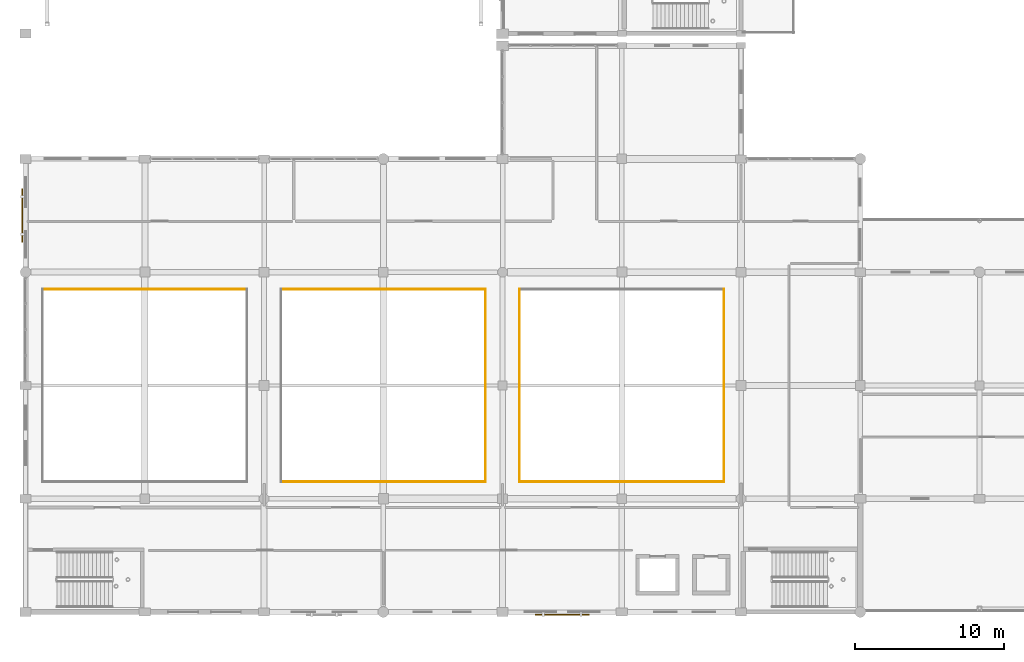
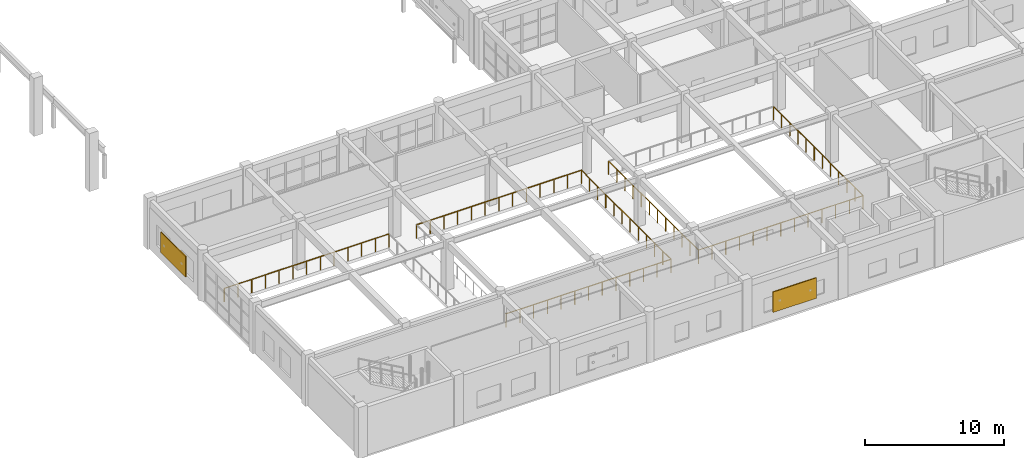
# One storey, part 145 of 160: 7 railings, 2 shading devices.
"""IFC4 building model written with IfcOpenShell, lengths in metres."""

from ifc_helpers import new_model, si_unit, direction, frame, origin, origin_2d, place, context, subcontext, project, spatial, rectangle, circle, extrude, material, type_object, element, save


model = new_model("IFC4")

# Units and contexts
model_context = context("Model", 3, precision=1e-05, world=origin(), true_north=direction((0.0, 1.0)))
body_context = subcontext(model_context, "Body", "Model", "MODEL_VIEW")
ifc_project = project(units=[si_unit("LENGTHUNIT", "METRE"), si_unit("AREAUNIT", "SQUARE_METRE"), si_unit("VOLUMEUNIT", "CUBIC_METRE"), si_unit("PLANEANGLEUNIT", "RADIAN"), si_unit("MASSUNIT", "GRAM", prefix="KILO")], contexts=[model_context])

# Site, building, storey
site_placement = place(None, origin())
site = spatial("IfcSite", under=ifc_project, at=site_placement, CompositionType="ELEMENT")
building_placement = place(site_placement, origin())
building = spatial("IfcBuilding", under=site, at=building_placement, Name="Kharva Crest Polytechnic", CompositionType="ELEMENT")
storey_placement = place(building_placement, frame((0.0, 0.0, 4.5)))
storey = spatial("IfcBuildingStorey", under=building, at=storey_placement, Name="L01", CompositionType="ELEMENT", Elevation=4.5)

# Railings
ifc_material_1 = material(Name="Anodised aluminium", Category="aluminium")
railing_type = type_object("IfcRailingType", Name="RL-VOID-GUARD-1200", PredefinedType="GUARDRAIL", material=ifc_material_1)
railing_1_placement = place(storey_placement, frame((14.860107421875, 21.659912109375, 0.0)))
element("IfcRailing", 1, at=railing_1_placement, inside=storey, type_object=railing_type, Name="L01 Atrium Void Guard 7", PredefinedType="GUARDRAIL", context=body_context, shape_type="SweptSolid", body=[
    extrude(circle(Radius=0.02392578125, at=origin_2d()), frame((0.0, 0.0, 1.17578125), z_axis=(-1.0, 0.0, 0.0), x_axis=(0.0, -1.0, 0.0)), (0.0, 0.0, 1.0), 13.72021484375),
    extrude(circle(Radius=0.02099609375, at=origin_2d()), origin(), (0.0, 0.0, 1.0), 1.15185546875),
    extrude(circle(Radius=0.02099609375, at=origin_2d()), frame((-1.143310546875, 0.0, 0.0)), (0.0, 0.0, 1.0), 1.15185546875),
    extrude(circle(Radius=0.02099609375, at=origin_2d()), frame((-2.28662109375, 0.0, 0.0)), (0.0, 0.0, 1.0), 1.15185546875),
    extrude(circle(Radius=0.02099609375, at=origin_2d()), frame((-3.43017578125, 0.0, 0.0)), (0.0, 0.0, 1.0), 1.15185546875),
    extrude(circle(Radius=0.02099609375, at=origin_2d()), frame((-4.573486328125, 0.0, 0.0)), (0.0, 0.0, 1.0), 1.15185546875),
    extrude(circle(Radius=0.02099609375, at=origin_2d()), frame((-5.716796875, 0.0, 0.0)), (0.0, 0.0, 1.0), 1.15185546875),
    extrude(circle(Radius=0.02099609375, at=origin_2d()), frame((-6.860107421875, 0.0, 0.0)), (0.0, 0.0, 1.0), 1.15185546875),
    extrude(circle(Radius=0.02099609375, at=origin_2d()), frame((-8.00341796875, 0.0, 0.0)), (0.0, 0.0, 1.0), 1.15185546875),
    extrude(circle(Radius=0.02099609375, at=origin_2d()), frame((-9.146728515625, 0.0, 0.0)), (0.0, 0.0, 1.0), 1.15185546875),
    extrude(circle(Radius=0.02099609375, at=origin_2d()), frame((-10.2900390625, 0.0, 0.0)), (0.0, 0.0, 1.0), 1.15185546875),
    extrude(circle(Radius=0.02099609375, at=origin_2d()), frame((-11.43359375, 0.0, 0.0)), (0.0, 0.0, 1.0), 1.15185546875),
    extrude(circle(Radius=0.02099609375, at=origin_2d()), frame((-12.576904296875, 0.0, 0.0)), (0.0, 0.0, 1.0), 1.15185546875),
    extrude(circle(Radius=0.02099609375, at=origin_2d()), frame((-13.72021484375, 0.0, 0.0)), (0.0, 0.0, 1.0), 1.15185546875),
])
railing_2_placement = place(storey_placement, frame((17.139892578125, 8.739990234375, 0.0)))
element("IfcRailing", 2, at=railing_2_placement, inside=storey, type_object=railing_type, Name="L01 Atrium Void Guard 9", PredefinedType="GUARDRAIL", context=body_context, shape_type="SweptSolid", body=[
    extrude(circle(Radius=0.02392578125, at=origin_2d()), frame((0.0, 0.0, 1.17578125), z_axis=(1.0, 0.0, 0.0), x_axis=(0.0, 1.0, 0.0)), (0.0, 0.0, 1.0), 13.72021484375),
    extrude(circle(Radius=0.02099609375, at=origin_2d()), origin(), (0.0, 0.0, 1.0), 1.15185546875),
    extrude(circle(Radius=0.02099609375, at=origin_2d()), frame((1.143310546875, 0.0, 0.0)), (0.0, 0.0, 1.0), 1.15185546875),
    extrude(circle(Radius=0.02099609375, at=origin_2d()), frame((2.28662109375, 0.0, 0.0)), (0.0, 0.0, 1.0), 1.15185546875),
    extrude(circle(Radius=0.02099609375, at=origin_2d()), frame((3.43017578125, 0.0, 0.0)), (0.0, 0.0, 1.0), 1.15185546875),
    extrude(circle(Radius=0.02099609375, at=origin_2d()), frame((4.573486328125, 0.0, 0.0)), (0.0, 0.0, 1.0), 1.15185546875),
    extrude(circle(Radius=0.02099609375, at=origin_2d()), frame((5.716796875, 0.0, 0.0)), (0.0, 0.0, 1.0), 1.15185546875),
    extrude(circle(Radius=0.02099609375, at=origin_2d()), frame((6.860107421875, 0.0, 0.0)), (0.0, 0.0, 1.0), 1.15185546875),
    extrude(circle(Radius=0.02099609375, at=origin_2d()), frame((8.00341796875, 0.0, 0.0)), (0.0, 0.0, 1.0), 1.15185546875),
    extrude(circle(Radius=0.02099609375, at=origin_2d()), frame((9.146728515625, 0.0, 0.0)), (0.0, 0.0, 1.0), 1.15185546875),
    extrude(circle(Radius=0.02099609375, at=origin_2d()), frame((10.2900390625, 0.0, 0.0)), (0.0, 0.0, 1.0), 1.15185546875),
    extrude(circle(Radius=0.02099609375, at=origin_2d()), frame((11.43359375, 0.0, 0.0)), (0.0, 0.0, 1.0), 1.15185546875),
    extrude(circle(Radius=0.02099609375, at=origin_2d()), frame((12.576904296875, 0.0, 0.0)), (0.0, 0.0, 1.0), 1.15185546875),
    extrude(circle(Radius=0.02099609375, at=origin_2d()), frame((13.72021484375, 0.0, 0.0)), (0.0, 0.0, 1.0), 1.15185546875),
])
railing_3_placement = place(storey_placement, frame((30.860107421875, 8.739990234375, 0.0)))
element("IfcRailing", 3, at=railing_3_placement, inside=storey, type_object=railing_type, Name="L01 Atrium Void Guard 10", PredefinedType="GUARDRAIL", context=body_context, shape_type="SweptSolid", body=[
    extrude(circle(Radius=0.02392578125, at=origin_2d()), frame((0.0, 0.0, 1.17578125), z_axis=(0.0, 1.0, 0.0), x_axis=(-1.0, 0.0, 0.0)), (0.0, 0.0, 1.0), 12.919921875),
    extrude(circle(Radius=0.02099609375, at=origin_2d()), origin(), (0.0, 0.0, 1.0), 1.15185546875),
    extrude(circle(Radius=0.02099609375, at=origin_2d()), frame((0.0, 1.174560546875, 0.0)), (0.0, 0.0, 1.0), 1.15185546875),
    extrude(circle(Radius=0.02099609375, at=origin_2d()), frame((0.0, 2.34912109375, 0.0)), (0.0, 0.0, 1.0), 1.15185546875),
    extrude(circle(Radius=0.02099609375, at=origin_2d()), frame((0.0, 3.523681640625, 0.0)), (0.0, 0.0, 1.0), 1.15185546875),
    extrude(circle(Radius=0.02099609375, at=origin_2d()), frame((0.0, 4.6982421875, 0.0)), (0.0, 0.0, 1.0), 1.15185546875),
    extrude(circle(Radius=0.02099609375, at=origin_2d()), frame((0.0, 5.872802734375, 0.0)), (0.0, 0.0, 1.0), 1.15185546875),
    extrude(circle(Radius=0.02099609375, at=origin_2d()), frame((0.0, 7.047119140625, 0.0)), (0.0, 0.0, 1.0), 1.15185546875),
    extrude(circle(Radius=0.02099609375, at=origin_2d()), frame((0.0, 8.2216796875, 0.0)), (0.0, 0.0, 1.0), 1.15185546875),
    extrude(circle(Radius=0.02099609375, at=origin_2d()), frame((0.0, 9.396240234375, 0.0)), (0.0, 0.0, 1.0), 1.15185546875),
    extrude(circle(Radius=0.02099609375, at=origin_2d()), frame((0.0, 10.57080078125, 0.0)), (0.0, 0.0, 1.0), 1.15185546875),
    extrude(circle(Radius=0.02099609375, at=origin_2d()), frame((0.0, 11.745361328125, 0.0)), (0.0, 0.0, 1.0), 1.15185546875),
    extrude(circle(Radius=0.02099609375, at=origin_2d()), frame((0.0, 12.919921875, 0.0)), (0.0, 0.0, 1.0), 1.15185546875),
])
railing_4_placement = place(storey_placement, frame((30.860107421875, 21.659912109375, 0.0)))
element("IfcRailing", 4, at=railing_4_placement, inside=storey, type_object=railing_type, Name="L01 Atrium Void Guard 11", PredefinedType="GUARDRAIL", context=body_context, shape_type="SweptSolid", body=[
    extrude(circle(Radius=0.02392578125, at=origin_2d()), frame((0.0, 0.0, 1.17578125), z_axis=(-1.0, 0.0, 0.0), x_axis=(0.0, -1.0, 0.0)), (0.0, 0.0, 1.0), 13.72021484375),
    extrude(circle(Radius=0.02099609375, at=origin_2d()), origin(), (0.0, 0.0, 1.0), 1.15185546875),
    extrude(circle(Radius=0.02099609375, at=origin_2d()), frame((-1.143310546875, 0.0, 0.0)), (0.0, 0.0, 1.0), 1.15185546875),
    extrude(circle(Radius=0.02099609375, at=origin_2d()), frame((-2.28662109375, 0.0, 0.0)), (0.0, 0.0, 1.0), 1.15185546875),
    extrude(circle(Radius=0.02099609375, at=origin_2d()), frame((-3.43017578125, 0.0, 0.0)), (0.0, 0.0, 1.0), 1.15185546875),
    extrude(circle(Radius=0.02099609375, at=origin_2d()), frame((-4.573486328125, 0.0, 0.0)), (0.0, 0.0, 1.0), 1.15185546875),
    extrude(circle(Radius=0.02099609375, at=origin_2d()), frame((-5.716796875, 0.0, 0.0)), (0.0, 0.0, 1.0), 1.15185546875),
    extrude(circle(Radius=0.02099609375, at=origin_2d()), frame((-6.860107421875, 0.0, 0.0)), (0.0, 0.0, 1.0), 1.15185546875),
    extrude(circle(Radius=0.02099609375, at=origin_2d()), frame((-8.00341796875, 0.0, 0.0)), (0.0, 0.0, 1.0), 1.15185546875),
    extrude(circle(Radius=0.02099609375, at=origin_2d()), frame((-9.146728515625, 0.0, 0.0)), (0.0, 0.0, 1.0), 1.15185546875),
    extrude(circle(Radius=0.02099609375, at=origin_2d()), frame((-10.2900390625, 0.0, 0.0)), (0.0, 0.0, 1.0), 1.15185546875),
    extrude(circle(Radius=0.02099609375, at=origin_2d()), frame((-11.43359375, 0.0, 0.0)), (0.0, 0.0, 1.0), 1.15185546875),
    extrude(circle(Radius=0.02099609375, at=origin_2d()), frame((-12.576904296875, 0.0, 0.0)), (0.0, 0.0, 1.0), 1.15185546875),
    extrude(circle(Radius=0.02099609375, at=origin_2d()), frame((-13.72021484375, 0.0, 0.0)), (0.0, 0.0, 1.0), 1.15185546875),
])
railing_5_placement = place(storey_placement, frame((33.139892578125, 8.739990234375, 0.0)))
element("IfcRailing", 5, at=railing_5_placement, inside=storey, type_object=railing_type, Name="L01 Atrium Void Guard 13", PredefinedType="GUARDRAIL", context=body_context, shape_type="SweptSolid", body=[
    extrude(circle(Radius=0.02392578125, at=origin_2d()), frame((0.0, 0.0, 1.17578125), z_axis=(1.0, 0.0, 0.0), x_axis=(0.0, 1.0, 0.0)), (0.0, 0.0, 1.0), 13.72021484375),
    extrude(circle(Radius=0.02099609375, at=origin_2d()), origin(), (0.0, 0.0, 1.0), 1.15185546875),
    extrude(circle(Radius=0.02099609375, at=origin_2d()), frame((1.143310546875, 0.0, 0.0)), (0.0, 0.0, 1.0), 1.15185546875),
    extrude(circle(Radius=0.02099609375, at=origin_2d()), frame((2.28662109375, 0.0, 0.0)), (0.0, 0.0, 1.0), 1.15185546875),
    extrude(circle(Radius=0.02099609375, at=origin_2d()), frame((3.43017578125, 0.0, 0.0)), (0.0, 0.0, 1.0), 1.15185546875),
    extrude(circle(Radius=0.02099609375, at=origin_2d()), frame((4.573486328125, 0.0, 0.0)), (0.0, 0.0, 1.0), 1.15185546875),
    extrude(circle(Radius=0.02099609375, at=origin_2d()), frame((5.716796875, 0.0, 0.0)), (0.0, 0.0, 1.0), 1.15185546875),
    extrude(circle(Radius=0.02099609375, at=origin_2d()), frame((6.860107421875, 0.0, 0.0)), (0.0, 0.0, 1.0), 1.15185546875),
    extrude(circle(Radius=0.02099609375, at=origin_2d()), frame((8.00341796875, 0.0, 0.0)), (0.0, 0.0, 1.0), 1.15185546875),
    extrude(circle(Radius=0.02099609375, at=origin_2d()), frame((9.146728515625, 0.0, 0.0)), (0.0, 0.0, 1.0), 1.15185546875),
    extrude(circle(Radius=0.02099609375, at=origin_2d()), frame((10.2900390625, 0.0, 0.0)), (0.0, 0.0, 1.0), 1.15185546875),
    extrude(circle(Radius=0.02099609375, at=origin_2d()), frame((11.43359375, 0.0, 0.0)), (0.0, 0.0, 1.0), 1.15185546875),
    extrude(circle(Radius=0.02099609375, at=origin_2d()), frame((12.576904296875, 0.0, 0.0)), (0.0, 0.0, 1.0), 1.15185546875),
    extrude(circle(Radius=0.02099609375, at=origin_2d()), frame((13.72021484375, 0.0, 0.0)), (0.0, 0.0, 1.0), 1.15185546875),
])
railing_6_placement = place(storey_placement, frame((46.860107421875, 8.739990234375, 0.0)))
element("IfcRailing", 6, at=railing_6_placement, inside=storey, type_object=railing_type, Name="L01 Atrium Void Guard 14", PredefinedType="GUARDRAIL", context=body_context, shape_type="SweptSolid", body=[
    extrude(circle(Radius=0.02392578125, at=origin_2d()), frame((0.0, 0.0, 1.17578125), z_axis=(0.0, 1.0, 0.0), x_axis=(-1.0, 0.0, 0.0)), (0.0, 0.0, 1.0), 12.919921875),
    extrude(circle(Radius=0.02099609375, at=origin_2d()), origin(), (0.0, 0.0, 1.0), 1.15185546875),
    extrude(circle(Radius=0.02099609375, at=origin_2d()), frame((0.0, 1.174560546875, 0.0)), (0.0, 0.0, 1.0), 1.15185546875),
    extrude(circle(Radius=0.02099609375, at=origin_2d()), frame((0.0, 2.34912109375, 0.0)), (0.0, 0.0, 1.0), 1.15185546875),
    extrude(circle(Radius=0.02099609375, at=origin_2d()), frame((0.0, 3.523681640625, 0.0)), (0.0, 0.0, 1.0), 1.15185546875),
    extrude(circle(Radius=0.02099609375, at=origin_2d()), frame((0.0, 4.6982421875, 0.0)), (0.0, 0.0, 1.0), 1.15185546875),
    extrude(circle(Radius=0.02099609375, at=origin_2d()), frame((0.0, 5.872802734375, 0.0)), (0.0, 0.0, 1.0), 1.15185546875),
    extrude(circle(Radius=0.02099609375, at=origin_2d()), frame((0.0, 7.047119140625, 0.0)), (0.0, 0.0, 1.0), 1.15185546875),
    extrude(circle(Radius=0.02099609375, at=origin_2d()), frame((0.0, 8.2216796875, 0.0)), (0.0, 0.0, 1.0), 1.15185546875),
    extrude(circle(Radius=0.02099609375, at=origin_2d()), frame((0.0, 9.396240234375, 0.0)), (0.0, 0.0, 1.0), 1.15185546875),
    extrude(circle(Radius=0.02099609375, at=origin_2d()), frame((0.0, 10.57080078125, 0.0)), (0.0, 0.0, 1.0), 1.15185546875),
    extrude(circle(Radius=0.02099609375, at=origin_2d()), frame((0.0, 11.745361328125, 0.0)), (0.0, 0.0, 1.0), 1.15185546875),
    extrude(circle(Radius=0.02099609375, at=origin_2d()), frame((0.0, 12.919921875, 0.0)), (0.0, 0.0, 1.0), 1.15185546875),
])
railing_7_placement = place(storey_placement, frame((33.139892578125, 21.659912109375, 0.0)))
element("IfcRailing", 7, at=railing_7_placement, inside=storey, type_object=railing_type, Name="L01 Atrium Void Guard 16", PredefinedType="GUARDRAIL", context=body_context, shape_type="SweptSolid", body=[
    extrude(circle(Radius=0.02392578125, at=origin_2d()), frame((0.0, 0.0, 1.17578125), z_axis=(0.0, -1.0, 0.0), x_axis=(1.0, 0.0, 0.0)), (0.0, 0.0, 1.0), 12.919921875),
    extrude(circle(Radius=0.02099609375, at=origin_2d()), origin(), (0.0, 0.0, 1.0), 1.15185546875),
    extrude(circle(Radius=0.02099609375, at=origin_2d()), frame((0.0, -1.174560546875, 0.0)), (0.0, 0.0, 1.0), 1.15185546875),
    extrude(circle(Radius=0.02099609375, at=origin_2d()), frame((0.0, -2.34912109375, 0.0)), (0.0, 0.0, 1.0), 1.15185546875),
    extrude(circle(Radius=0.02099609375, at=origin_2d()), frame((0.0, -3.523681640625, 0.0)), (0.0, 0.0, 1.0), 1.15185546875),
    extrude(circle(Radius=0.02099609375, at=origin_2d()), frame((0.0, -4.6982421875, 0.0)), (0.0, 0.0, 1.0), 1.15185546875),
    extrude(circle(Radius=0.02099609375, at=origin_2d()), frame((0.0, -5.872802734375, 0.0)), (0.0, 0.0, 1.0), 1.15185546875),
    extrude(circle(Radius=0.02099609375, at=origin_2d()), frame((0.0, -7.047119140625, 0.0)), (0.0, 0.0, 1.0), 1.15185546875),
    extrude(circle(Radius=0.02099609375, at=origin_2d()), frame((0.0, -8.2216796875, 0.0)), (0.0, 0.0, 1.0), 1.15185546875),
    extrude(circle(Radius=0.02099609375, at=origin_2d()), frame((0.0, -9.396240234375, 0.0)), (0.0, 0.0, 1.0), 1.15185546875),
    extrude(circle(Radius=0.02099609375, at=origin_2d()), frame((0.0, -10.57080078125, 0.0)), (0.0, 0.0, 1.0), 1.15185546875),
    extrude(circle(Radius=0.02099609375, at=origin_2d()), frame((0.0, -11.745361328125, 0.0)), (0.0, 0.0, 1.0), 1.15185546875),
    extrude(circle(Radius=0.02099609375, at=origin_2d()), frame((0.0, -12.919921875, 0.0)), (0.0, 0.0, 1.0), 1.15185546875),
])

# Shading devices
ifc_material_2 = material(Name="Perforated terracotta", Category="masonry")
shading_device_type = type_object("IfcShadingDeviceType", Name="SHD-JAALI-3600X1800", PredefinedType="USERDEFINED", material=ifc_material_2)
for number, where, z_axis, x_axis, name in (
    (8, (36.0, -0.18310546875, 0.75), (0.0, 0.0, 1.0), (1.0, 0.0, 0.0), "L01 Terracotta Jaali Solar Screen 27"),
    (9, (-0.22802734375, 26.603759765625, 0.75), (0.0, 0.0, 1.0), (0.0, 1.0, 0.0), "L01 Terracotta Jaali Solar Screen 30"),
):
    element("IfcShadingDevice", number, at=place(storey_placement, frame(where, z_axis=z_axis, x_axis=x_axis)), inside=storey, type_object=shading_device_type, Name=name, ObjectType="LOUVRE", PredefinedType="USERDEFINED", context=body_context, shape_type="SweptSolid", body=[
        extrude(rectangle(XDim=3.60009765625, YDim=0.080078125, at=origin_2d()), origin(), (0.0, 0.0, 1.0), 1.800048828125),
    ])

save(model, "model.ifc")
